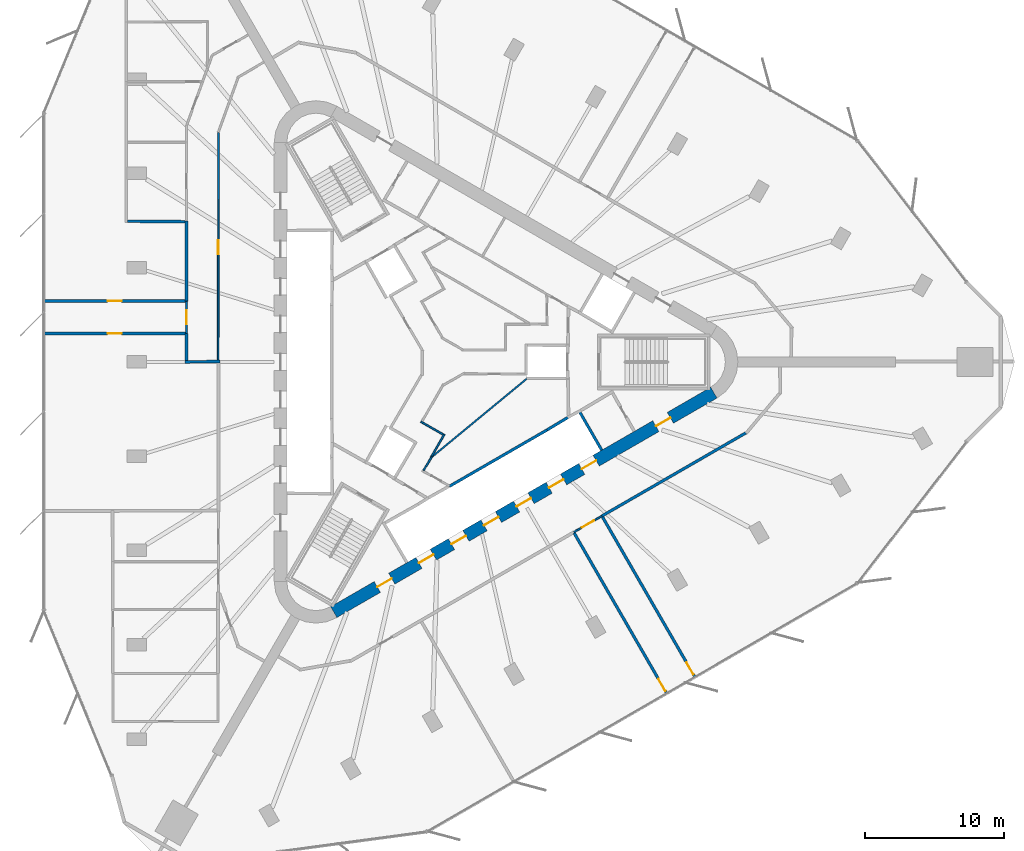
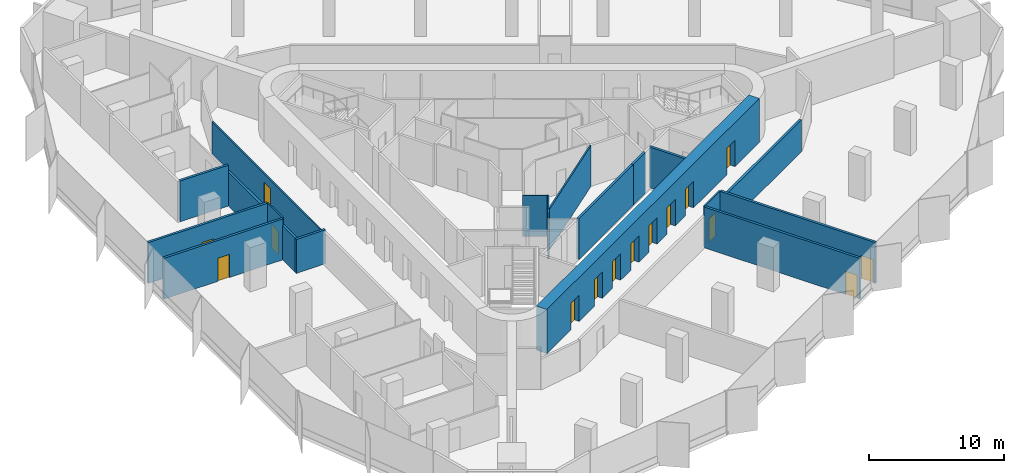
# One storey, part 9 of 14: 20 walls, 15 doors, 15 openings.
"""IFC4 building model written with IfcOpenShell, lengths in metres."""

from ifc_helpers import new_model, si_unit, direction, frame, frame_2d, origin, place, context, subcontext, project, spatial, rectangle, extrude, material, layer, layer_set, type_object, element, fill, save


model = new_model("IFC4")

# Units and contexts
model_context = context("Model", 3, precision=1e-05, world=origin(), true_north=direction((0.0, 1.0)))
body_context = subcontext(model_context, "Body", "Model", "MODEL_VIEW")
ifc_project = project(units=[si_unit("LENGTHUNIT", "METRE"), si_unit("AREAUNIT", "SQUARE_METRE"), si_unit("VOLUMEUNIT", "CUBIC_METRE"), si_unit("PLANEANGLEUNIT", "RADIAN"), si_unit("MASSUNIT", "GRAM", prefix="KILO")], contexts=[model_context])

# Site, building, storey
site_placement = place(None, origin())
site = spatial("IfcSite", under=ifc_project, at=site_placement, CompositionType="ELEMENT")
building_placement = place(site_placement, origin())
building = spatial("IfcBuilding", under=site, at=building_placement, Name="Tanit Gate Tower", CompositionType="ELEMENT")
storey_placement = place(building_placement, frame((0.0, 0.0, 237.199951171875)))
storey = spatial("IfcBuildingStorey", under=building, at=storey_placement, Name="L53", CompositionType="ELEMENT", Elevation=237.199951171875)

# Wall, openings, doors
ifc_material_1 = material(Name="Concrete C50/60", Category="concrete")
ifc_layer_1 = layer(ifc_material_1, 0.89990234375)
ifc_layer_set_1 = layer_set([ifc_layer_1], Name="CORE WALL 900 C50/60")
wall_type_1 = type_object("IfcWallType", Name="CORE WALL 900 C50/60", PredefinedType="SHEAR", material=ifc_layer_set_1)
wall_1_placement = place(storey_placement, frame((-7.824951171875, -17.969970703125, 0.0), z_axis=(0.0, 0.0, 1.0), x_axis=(0.866028369851, 0.499994862586, 0.0)))
wall_1 = element("IfcWall", 1, at=wall_1_placement, inside=storey, type_object=wall_type_1, Name="CORE WALL", PredefinedType="SHEAR", context=body_context, shape_type="SweptSolid", body=[
    extrude(rectangle(XDim=31.523193359375, YDim=0.89990234375, at=frame_2d((15.76171875, 0.0))), origin(), (0.0, 0.0, 1.0), 4.0),
])
opening_1_placement = place(wall_1_placement, frame((7.061767578125, 0.0, 0.0)))
opening_1 = element("IfcOpeningElement", 2, at=opening_1_placement, cuts=wall_1, Name="Opening LDSX1-S14", PredefinedType="OPENING", context=body_context, shape_type="SweptSolid", body=[
    extrude(rectangle(XDim=1.199951171875, YDim=2.39990234375, at=frame_2d((0.60009765625, 1.199951171875))), frame((0.0, 0.4599609375, 0.0), z_axis=(0.0, -1.0, 0.0), x_axis=(1.0, 0.0, 0.0)), (0.0, 0.0, 1.0), 0.919921875),
])
opening_2_placement = place(wall_1_placement, frame((9.76171875, 0.0, 0.0)))
opening_2 = element("IfcOpeningElement", 3, at=opening_2_placement, cuts=wall_1, Name="Opening LDSX2-S14", PredefinedType="OPENING", context=body_context, shape_type="SweptSolid", body=[
    extrude(rectangle(XDim=1.199951171875, YDim=2.39990234375, at=frame_2d((0.60009765625, 1.199951171875))), frame((0.0, 0.4599609375, 0.0), z_axis=(0.0, -1.0, 0.0), x_axis=(1.0, 0.0, 0.0)), (0.0, 0.0, 1.0), 0.919921875),
])
opening_3_placement = place(wall_1_placement, frame((12.461669921875, 0.0, 0.0)))
opening_3 = element("IfcOpeningElement", 4, at=opening_3_placement, cuts=wall_1, Name="Opening LDSX3-S14", PredefinedType="OPENING", context=body_context, shape_type="SweptSolid", body=[
    extrude(rectangle(XDim=1.199951171875, YDim=2.39990234375, at=frame_2d((0.60009765625, 1.199951171875))), frame((0.0, 0.4599609375, 0.0), z_axis=(0.0, -1.0, 0.0), x_axis=(1.0, 0.0, 0.0)), (0.0, 0.0, 1.0), 0.919921875),
])
opening_4_placement = place(wall_1_placement, frame((15.16162109375, 0.0, 0.0)))
opening_4 = element("IfcOpeningElement", 5, at=opening_4_placement, cuts=wall_1, Name="Opening LDSX4-S14", PredefinedType="OPENING", context=body_context, shape_type="SweptSolid", body=[
    extrude(rectangle(XDim=1.199951171875, YDim=2.39990234375, at=frame_2d((0.60009765625, 1.199951171875))), frame((0.0, 0.4599609375, 0.0), z_axis=(0.0, -1.0, 0.0), x_axis=(1.0, 0.0, 0.0)), (0.0, 0.0, 1.0), 0.919921875),
])
opening_5_placement = place(wall_1_placement, frame((17.861572265625, 0.0, 0.0)))
opening_5 = element("IfcOpeningElement", 6, at=opening_5_placement, cuts=wall_1, Name="Opening LDSV1-S14", PredefinedType="OPENING", context=body_context, shape_type="SweptSolid", body=[
    extrude(rectangle(XDim=1.199951171875, YDim=2.39990234375, at=frame_2d((0.60009765625, 1.199951171875))), frame((0.0, 0.4599609375, 0.0), z_axis=(0.0, -1.0, 0.0), x_axis=(1.0, 0.0, 0.0)), (0.0, 0.0, 1.0), 0.919921875),
])
opening_6_placement = place(wall_1_placement, frame((20.561767578125, 0.0, 0.0)))
opening_6 = element("IfcOpeningElement", 7, at=opening_6_placement, cuts=wall_1, Name="Opening LDSV2-S14", PredefinedType="OPENING", context=body_context, shape_type="SweptSolid", body=[
    extrude(rectangle(XDim=1.199951171875, YDim=2.39990234375, at=frame_2d((0.60009765625, 1.199951171875))), frame((0.0, 0.4599609375, 0.0), z_axis=(0.0, -1.0, 0.0), x_axis=(1.0, 0.0, 0.0)), (0.0, 0.0, 1.0), 0.919921875),
])
opening_7_placement = place(wall_1_placement, frame((26.711669921875, 0.0, 0.0)))
opening_7 = element("IfcOpeningElement", 8, at=opening_7_placement, cuts=wall_1, Name="Opening F12-S14-S1", PredefinedType="OPENING", context=body_context, shape_type="SweptSolid", body=[
    extrude(rectangle(XDim=1.199951171875, YDim=2.39990234375, at=frame_2d((0.60009765625, 1.199951171875))), frame((0.0, 0.4599609375, 0.0), z_axis=(0.0, -1.0, 0.0), x_axis=(1.0, 0.0, 0.0)), (0.0, 0.0, 1.0), 0.919921875),
])
opening_8_placement = place(wall_1_placement, frame((3.611572265625, 0.0, 0.0)))
opening_8 = element("IfcOpeningElement", 9, at=opening_8_placement, cuts=wall_1, Name="Opening F12-S14-FL3", PredefinedType="OPENING", context=body_context, shape_type="SweptSolid", body=[
    extrude(rectangle(XDim=1.199951171875, YDim=2.39990234375, at=frame_2d((0.60009765625, 1.199951171875))), frame((0.0, 0.4599609375, 0.0), z_axis=(0.0, -1.0, 0.0), x_axis=(1.0, 0.0, 0.0)), (0.0, 0.0, 1.0), 0.919921875),
])
ifc_material_2 = material(Name="Fire-rated steel door leaf", Category="steel")
door_type_1 = type_object("IfcDoorType", Name="INT-DOOR-FIRE-LOBBY-1200", OperationType="NOTDEFINED", PredefinedType="USERDEFINED", material=ifc_material_2)
door_1_placement = place(opening_7_placement, origin())
door_1 = element("IfcDoor", 10, at=door_1_placement, inside=storey, type_object=door_type_1, Name="Door F12-S14-S1", ObjectType="FIRE DOOR", OperationType="SINGLE_SWING_RIGHT", OverallHeight=2.39990234375, OverallWidth=1.199951171875, PredefinedType="USERDEFINED", context=body_context, shape_type="SweptSolid", body=[
    extrude(rectangle(XDim=1.199951171875, YDim=2.39990234375, at=frame_2d((0.60009765625, 1.199951171875))), frame((0.0, 0.02490234375, 0.0), z_axis=(0.0, -1.0, 0.0), x_axis=(1.0, 0.0, 0.0)), (0.0, 0.0, 1.0), 0.050048828125),
])
fill(opening_7, door_1)
door_2_placement = place(opening_8_placement, origin())
door_2 = element("IfcDoor", 11, at=door_2_placement, inside=storey, type_object=door_type_1, Name="Door F12-S14-FL3", ObjectType="FIRE DOOR", OperationType="SINGLE_SWING_LEFT", OverallHeight=2.39990234375, OverallWidth=1.199951171875, PredefinedType="USERDEFINED", context=body_context, shape_type="SweptSolid", body=[
    extrude(rectangle(XDim=1.199951171875, YDim=2.39990234375, at=frame_2d((0.60009765625, 1.199951171875))), frame((0.0, 0.02490234375, 0.0), z_axis=(0.0, -1.0, 0.0), x_axis=(1.0, 0.0, 0.0)), (0.0, 0.0, 1.0), 0.050048828125),
])
fill(opening_8, door_2)
ifc_material_3 = material(Name="Stainless steel sliding door leaf", Category="steel")
door_type_2 = type_object("IfcDoorType", Name="INT-DOOR-LANDING-1200", OperationType="NOTDEFINED", PredefinedType="USERDEFINED", material=ifc_material_3)
door_3_placement = place(opening_1_placement, origin())
door_3 = element("IfcDoor", 12, at=door_3_placement, inside=storey, type_object=door_type_2, Name="Door LDSX1-S14", ObjectType="LANDING DOOR", OperationType="SLIDING_TO_LEFT", OverallHeight=2.39990234375, OverallWidth=1.199951171875, PredefinedType="USERDEFINED", context=body_context, shape_type="SweptSolid", body=[
    extrude(rectangle(XDim=1.199951171875, YDim=2.39990234375, at=frame_2d((0.60009765625, 1.199951171875))), frame((0.0, 0.02490234375, 0.0), z_axis=(0.0, -1.0, 0.0), x_axis=(1.0, 0.0, 0.0)), (0.0, 0.0, 1.0), 0.050048828125),
])
fill(opening_1, door_3)
door_4_placement = place(opening_2_placement, origin())
door_4 = element("IfcDoor", 13, at=door_4_placement, inside=storey, type_object=door_type_2, Name="Door LDSX2-S14", ObjectType="LANDING DOOR", OperationType="SLIDING_TO_LEFT", OverallHeight=2.39990234375, OverallWidth=1.199951171875, PredefinedType="USERDEFINED", context=body_context, shape_type="SweptSolid", body=[
    extrude(rectangle(XDim=1.199951171875, YDim=2.39990234375, at=frame_2d((0.60009765625, 1.199951171875))), frame((0.0, 0.02490234375, 0.0), z_axis=(0.0, -1.0, 0.0), x_axis=(1.0, 0.0, 0.0)), (0.0, 0.0, 1.0), 0.050048828125),
])
fill(opening_2, door_4)
door_5_placement = place(opening_3_placement, origin())
door_5 = element("IfcDoor", 14, at=door_5_placement, inside=storey, type_object=door_type_2, Name="Door LDSX3-S14", ObjectType="LANDING DOOR", OperationType="SLIDING_TO_LEFT", OverallHeight=2.39990234375, OverallWidth=1.199951171875, PredefinedType="USERDEFINED", context=body_context, shape_type="SweptSolid", body=[
    extrude(rectangle(XDim=1.199951171875, YDim=2.39990234375, at=frame_2d((0.60009765625, 1.199951171875))), frame((0.0, 0.02490234375, 0.0), z_axis=(0.0, -1.0, 0.0), x_axis=(1.0, 0.0, 0.0)), (0.0, 0.0, 1.0), 0.050048828125),
])
fill(opening_3, door_5)
door_6_placement = place(opening_4_placement, origin())
door_6 = element("IfcDoor", 15, at=door_6_placement, inside=storey, type_object=door_type_2, Name="Door LDSX4-S14", ObjectType="LANDING DOOR", OperationType="SLIDING_TO_LEFT", OverallHeight=2.39990234375, OverallWidth=1.199951171875, PredefinedType="USERDEFINED", context=body_context, shape_type="SweptSolid", body=[
    extrude(rectangle(XDim=1.199951171875, YDim=2.39990234375, at=frame_2d((0.60009765625, 1.199951171875))), frame((0.0, 0.02490234375, 0.0), z_axis=(0.0, -1.0, 0.0), x_axis=(1.0, 0.0, 0.0)), (0.0, 0.0, 1.0), 0.050048828125),
])
fill(opening_4, door_6)
door_7_placement = place(opening_5_placement, origin())
door_7 = element("IfcDoor", 16, at=door_7_placement, inside=storey, type_object=door_type_2, Name="Door LDSV1-S14", ObjectType="LANDING DOOR", OperationType="SLIDING_TO_LEFT", OverallHeight=2.39990234375, OverallWidth=1.199951171875, PredefinedType="USERDEFINED", context=body_context, shape_type="SweptSolid", body=[
    extrude(rectangle(XDim=1.199951171875, YDim=2.39990234375, at=frame_2d((0.60009765625, 1.199951171875))), frame((0.0, 0.02490234375, 0.0), z_axis=(0.0, -1.0, 0.0), x_axis=(1.0, 0.0, 0.0)), (0.0, 0.0, 1.0), 0.050048828125),
])
fill(opening_5, door_7)
door_8_placement = place(opening_6_placement, origin())
door_8 = element("IfcDoor", 17, at=door_8_placement, inside=storey, type_object=door_type_2, Name="Door LDSV2-S14", ObjectType="LANDING DOOR", OperationType="SLIDING_TO_LEFT", OverallHeight=2.39990234375, OverallWidth=1.199951171875, PredefinedType="USERDEFINED", context=body_context, shape_type="SweptSolid", body=[
    extrude(rectangle(XDim=1.199951171875, YDim=2.39990234375, at=frame_2d((0.60009765625, 1.199951171875))), frame((0.0, 0.02490234375, 0.0), z_axis=(0.0, -1.0, 0.0), x_axis=(1.0, 0.0, 0.0)), (0.0, 0.0, 1.0), 0.050048828125),
])
fill(opening_6, door_8)

# Walls
ifc_material_4 = material(Name="Fire-rated gypsum board partition")
ifc_layer_2 = layer(ifc_material_4, 0.199951171875)
ifc_layer_set_2 = layer_set([ifc_layer_2], Name="INT-WALL-COMPARTMENT")
wall_type_2 = type_object("IfcWallType", Name="INT-WALL-COMPARTMENT", PredefinedType="PARTITIONING", material=ifc_layer_set_2)
wall_2_placement = place(storey_placement, frame((-18.5, -0.001220703125, 0.0), z_axis=(0.0, 0.0, 1.0), x_axis=(0.999915662945, 0.012987185857, 0.0)))
element("IfcWall", 18, at=wall_2_placement, inside=storey, type_object=wall_type_2, Name="Wall Compartment W094", PredefinedType="PARTITIONING", context=body_context, shape_type="SweptSolid", body=[
    extrude(rectangle(XDim=2.500244140625, YDim=0.199951171875, at=frame_2d((1.25, 0.0))), origin(), (0.0, 0.0, 1.0), 3.070068359375),
])
wall_3_placement = place(storey_placement, frame((-18.39990234375, 10.1298828125, 0.0), z_axis=(0.0, 0.0, 1.0), x_axis=(0.0, -1.0, 0.0)))
element("IfcWall", 19, at=wall_3_placement, inside=storey, type_object=wall_type_2, Name="Wall Compartment W096", PredefinedType="PARTITIONING", context=body_context, shape_type="SweptSolid", body=[
    extrude(rectangle(XDim=5.77978515625, YDim=0.199951171875, at=frame_2d((2.889892578125, 0.0))), origin(), (0.0, 0.0, 1.0), 3.070068359375),
])
wall_4_placement = place(storey_placement, frame((-18.39990234375, 2.050048828125, 0.0), z_axis=(0.0, 0.0, 1.0), x_axis=(0.0, -1.0, 0.0)))
element("IfcWall", 20, at=wall_4_placement, inside=storey, type_object=wall_type_2, Name="Wall Compartment W095", PredefinedType="PARTITIONING", context=body_context, shape_type="SweptSolid", body=[
    extrude(rectangle(XDim=1.949951171875, YDim=0.199951171875, at=frame_2d((0.97509765625, 0.0))), origin(), (0.0, 0.0, 1.0), 3.070068359375),
])
wall_5_placement = place(storey_placement, frame((11.417236328125, -11.0751953125, 0.0), z_axis=(0.0, 0.0, 1.0), x_axis=(0.866027793211, 0.49999586137, 0.0)))
element("IfcWall", 21, at=wall_5_placement, inside=storey, type_object=wall_type_2, Name="Wall Compartment W118", PredefinedType="PARTITIONING", context=body_context, shape_type="SweptSolid", body=[
    extrude(rectangle(XDim=11.955078125, YDim=0.199951171875, at=frame_2d((5.9775390625, 0.0))), origin(), (0.0, 0.0, 1.0), 2.880126953125),
])

# Wall, opening, door
wall_6_placement = place(storey_placement, frame((-28.6552734375, 2.030029296875, 0.0), z_axis=(0.0, 0.0, 1.0), x_axis=(1.0, 0.0, 0.0)))
wall_6 = element("IfcWall", 22, at=wall_6_placement, inside=storey, type_object=wall_type_2, Name="Wall Compartment W123", PredefinedType="PARTITIONING", context=body_context, shape_type="SweptSolid", body=[
    extrude(rectangle(XDim=10.1953125, YDim=0.199951171875, at=frame_2d((5.09765625, 0.0))), origin(), (0.0, 0.0, 1.0), 3.699951171875),
])
opening_9_placement = place(wall_6_placement, frame((4.59765625, 0.0, 0.0)))
opening_9 = element("IfcOpeningElement", 23, at=opening_9_placement, cuts=wall_6, Name="Opening F10-S14-32", PredefinedType="OPENING", context=body_context, shape_type="SweptSolid", body=[
    extrude(rectangle(XDim=1.0, YDim=2.10009765625, at=frame_2d((0.5, 1.050048828125))), frame((0.0, 0.10986328125, 0.0), z_axis=(0.0, -1.0, 0.0), x_axis=(1.0, 0.0, 0.0)), (0.0, 0.0, 1.0), 0.219970703125),
])
ifc_material_5 = material(Name="Fire-rated steel door leaf", Category="steel")
door_type_3 = type_object("IfcDoorType", Name="INT-DOOR-FIRE-1000", OperationType="NOTDEFINED", PredefinedType="USERDEFINED", material=ifc_material_5)
door_9_placement = place(opening_9_placement, origin())
door_9 = element("IfcDoor", 24, at=door_9_placement, inside=storey, type_object=door_type_3, Name="Door F10-S14-32", ObjectType="FIRE DOOR", OperationType="SINGLE_SWING_LEFT", OverallHeight=2.10009765625, OverallWidth=1.0, PredefinedType="USERDEFINED", context=body_context, shape_type="SweptSolid", body=[
    extrude(rectangle(XDim=1.0, YDim=2.10009765625, at=frame_2d((0.5, 1.050048828125))), frame((0.0, 0.02490234375, 0.0), z_axis=(0.0, -1.0, 0.0), x_axis=(1.0, 0.0, 0.0)), (0.0, 0.0, 1.0), 0.050048828125),
])
fill(opening_9, door_9)

wall_7_placement = place(storey_placement, frame((-18.4599609375, 4.3701171875, 0.0), z_axis=(0.0, 0.0, 1.0), x_axis=(-1.0, 0.0, 0.0)))
wall_7 = element("IfcWall", 25, at=wall_7_placement, inside=storey, type_object=wall_type_2, Name="Wall Compartment W124", PredefinedType="PARTITIONING", context=body_context, shape_type="SweptSolid", body=[
    extrude(rectangle(XDim=10.195556640625, YDim=0.199951171875, at=frame_2d((5.09765625, 0.0))), origin(), (0.0, 0.0, 1.0), 3.699951171875),
])
opening_10_placement = place(wall_7_placement, frame((4.59765625, 0.0, 0.0)))
opening_10 = element("IfcOpeningElement", 26, at=opening_10_placement, cuts=wall_7, Name="Opening F10-S14-33", PredefinedType="OPENING", context=body_context, shape_type="SweptSolid", body=[
    extrude(rectangle(XDim=1.0, YDim=2.10009765625, at=frame_2d((0.5, 1.050048828125))), frame((0.0, 0.10986328125, 0.0), z_axis=(0.0, -1.0, 0.0), x_axis=(1.0, 0.0, 0.0)), (0.0, 0.0, 1.0), 0.219970703125),
])
door_10_placement = place(opening_10_placement, origin())
door_10 = element("IfcDoor", 27, at=door_10_placement, inside=storey, type_object=door_type_3, Name="Door F10-S14-33", ObjectType="FIRE DOOR", OperationType="SINGLE_SWING_LEFT", OverallHeight=2.10009765625, OverallWidth=1.0, PredefinedType="USERDEFINED", context=body_context, shape_type="SweptSolid", body=[
    extrude(rectangle(XDim=1.0, YDim=2.10009765625, at=frame_2d((0.5, 1.050048828125))), frame((0.0, 0.02490234375, 0.0), z_axis=(0.0, -1.0, 0.0), x_axis=(1.0, 0.0, 0.0)), (0.0, 0.0, 1.0), 0.050048828125),
])
fill(opening_10, door_10)

# Wall
wall_8_placement = place(storey_placement, frame((-22.6298828125, 10.099365234375, 0.0), z_axis=(0.0, 0.0, 1.0), x_axis=(0.999976081673, -0.006916363298, 0.0)))
element("IfcWall", 28, at=wall_8_placement, inside=storey, type_object=wall_type_2, Name="Wall Compartment W140", PredefinedType="PARTITIONING", context=body_context, shape_type="SweptSolid", body=[
    extrude(rectangle(XDim=4.1298828125, YDim=0.199951171875, at=frame_2d((2.06494140625, 0.0))), origin(), (0.0, 0.0, 1.0), 3.699951171875),
])

# Wall, opening, door
wall_9_placement = place(storey_placement, frame((18.11181640625, -22.630859375, 0.0), z_axis=(0.0, 0.0, 1.0), x_axis=(-0.499988448798, 0.866032072771, 0.0)))
wall_9 = element("IfcWall", 29, at=wall_9_placement, inside=storey, type_object=wall_type_2, Name="Wall Compartment W150", PredefinedType="PARTITIONING", context=body_context, shape_type="SweptSolid", body=[
    extrude(rectangle(XDim=13.294677734375, YDim=0.199951171875, at=frame_2d((6.6474609375, 0.0))), origin(), (0.0, 0.0, 1.0), 3.699951171875),
])
opening_11_placement = place(wall_9_placement, frame((0.199951171875, 0.0, 0.0)))
opening_11 = element("IfcOpeningElement", 30, at=opening_11_placement, cuts=wall_9, Name="Opening F10-S14-36", PredefinedType="OPENING", context=body_context, shape_type="SweptSolid", body=[
    extrude(rectangle(XDim=1.0, YDim=2.10009765625, at=frame_2d((0.5, 1.050048828125))), frame((0.0, 0.10986328125, 0.0), z_axis=(0.0, -1.0, 0.0), x_axis=(1.0, 0.0, 0.0)), (0.0, 0.0, 1.0), 0.219970703125),
])
door_11_placement = place(opening_11_placement, origin())
door_11 = element("IfcDoor", 31, at=door_11_placement, inside=storey, type_object=door_type_3, Name="Door F10-S14-36", ObjectType="FIRE DOOR", OperationType="SINGLE_SWING_LEFT", OverallHeight=2.10009765625, OverallWidth=1.0, PredefinedType="USERDEFINED", context=body_context, shape_type="SweptSolid", body=[
    extrude(rectangle(XDim=1.0, YDim=2.10009765625, at=frame_2d((0.5, 1.050048828125))), frame((0.0, 0.02490234375, 0.0), z_axis=(0.0, -1.0, 0.0), x_axis=(1.0, 0.0, 0.0)), (0.0, 0.0, 1.0), 0.050048828125),
])
fill(opening_11, door_11)

wall_10_placement = place(storey_placement, frame((9.43798828125, -12.287109375, 0.0), z_axis=(0.0, 0.0, 1.0), x_axis=(0.499994270035, -0.866028711956, 0.0)))
wall_10 = element("IfcWall", 32, at=wall_10_placement, inside=storey, type_object=wall_type_2, Name="Wall Compartment W151", PredefinedType="PARTITIONING", context=body_context, shape_type="SweptSolid", body=[
    extrude(rectangle(XDim=13.295166015625, YDim=0.199951171875, at=frame_2d((6.6474609375, 0.0))), origin(), (0.0, 0.0, 1.0), 3.699951171875),
])
opening_12_placement = place(wall_10_placement, frame((12.094970703125, 0.0, 0.0)))
opening_12 = element("IfcOpeningElement", 33, at=opening_12_placement, cuts=wall_10, Name="Opening F10-S14-37", PredefinedType="OPENING", context=body_context, shape_type="SweptSolid", body=[
    extrude(rectangle(XDim=1.0, YDim=2.10009765625, at=frame_2d((0.5, 1.050048828125))), frame((0.0, 0.10986328125, 0.0), z_axis=(0.0, -1.0, 0.0), x_axis=(1.0, 0.0, 0.0)), (0.0, 0.0, 1.0), 0.219970703125),
])
door_12_placement = place(opening_12_placement, origin())
door_12 = element("IfcDoor", 34, at=door_12_placement, inside=storey, type_object=door_type_3, Name="Door F10-S14-37", ObjectType="FIRE DOOR", OperationType="SINGLE_SWING_RIGHT", OverallHeight=2.10009765625, OverallWidth=1.0, PredefinedType="USERDEFINED", context=body_context, shape_type="SweptSolid", body=[
    extrude(rectangle(XDim=1.0, YDim=2.10009765625, at=frame_2d((0.5, 1.050048828125))), frame((0.0, 0.02490234375, 0.0), z_axis=(0.0, -1.0, 0.0), x_axis=(1.0, 0.0, 0.0)), (0.0, 0.0, 1.0), 0.050048828125),
])
fill(opening_12, door_12)

# Walls
ifc_material_6 = material(Name="Gypsum board partition")
ifc_layer_3 = layer(ifc_material_6, 0.1201171875)
ifc_layer_set_3 = layer_set([ifc_layer_3], Name="INT-WALL-PARTITION")
wall_type_3 = type_object("IfcWallType", Name="INT-WALL-PARTITION", PredefinedType="PARTITIONING", material=ifc_layer_set_3)
wall_11_placement = place(storey_placement, frame((6.04638671875, -1.199951171875, 0.0), z_axis=(0.0, 0.0, 1.0), x_axis=(-0.771489624803, -0.636241902755, 0.0)))
element("IfcWall", 35, at=wall_11_placement, inside=storey, type_object=wall_type_3, Name="Wall Partition W070", PredefinedType="PARTITIONING", context=body_context, shape_type="SweptSolid", body=[
    extrude(rectangle(XDim=8.960693359375, YDim=0.1201171875, at=frame_2d((4.48046875, 0.0))), origin(), (0.0, 0.0, 1.0), 3.699951171875),
])
wall_12_placement = place(storey_placement, frame((-0.78662109375, -6.8212890625, 0.0), z_axis=(0.0, 0.0, 1.0), x_axis=(-0.521033983049, -0.853535932758, 0.0)))
element("IfcWall", 36, at=wall_12_placement, inside=storey, type_object=wall_type_3, Name="Wall Partition W072", PredefinedType="PARTITIONING", context=body_context, shape_type="SweptSolid", body=[
    extrude(rectangle(XDim=1.1396484375, YDim=0.1201171875, at=frame_2d((0.56982421875, 0.0))), origin(), (0.0, 0.0, 1.0), 3.699951171875),
])
wall_13_placement = place(storey_placement, frame((0.1181640625, -5.195068359375, 0.0), z_axis=(0.0, 0.0, 1.0), x_axis=(-0.499969367985, -0.866043088465, 0.0)))
element("IfcWall", 37, at=wall_13_placement, inside=storey, type_object=wall_type_3, Name="Wall Partition W073", PredefinedType="PARTITIONING", context=body_context, shape_type="SweptSolid", body=[
    extrude(rectangle(XDim=1.93994140625, YDim=0.1201171875, at=frame_2d((0.969970703125, 0.0))), origin(), (0.0, 0.0, 1.0), 3.699951171875),
])
wall_14_placement = place(storey_placement, frame((-1.56591796875, -4.292236328125, 0.0), z_axis=(0.0, 0.0, 1.0), x_axis=(0.866091100096, -0.499886193382, 0.0)))
element("IfcWall", 38, at=wall_14_placement, inside=storey, type_object=wall_type_3, Name="Wall Partition W074", PredefinedType="PARTITIONING", context=body_context, shape_type="SweptSolid", body=[
    extrude(rectangle(XDim=1.85009765625, YDim=0.1201171875, at=frame_2d((0.925048828125, 0.0))), origin(), (0.0, 0.0, 1.0), 3.699951171875),
])

# Wall, opening, door
wall_15_placement = place(storey_placement, frame((-16.10009765625, 16.486328125, 0.0), z_axis=(0.0, 0.0, 1.0), x_axis=(-0.00180665503, -0.999998367997, 0.0)))
wall_15 = element("IfcWall", 39, at=wall_15_placement, inside=storey, type_object=wall_type_3, Name="Wall Partition W092", PredefinedType="PARTITIONING", context=body_context, shape_type="SweptSolid", body=[
    extrude(rectangle(XDim=16.486328125, YDim=0.1201171875, at=frame_2d((8.2431640625, 0.0))), origin(), (0.0, 0.0, 1.0), 2.880126953125),
])
opening_13_placement = place(wall_15_placement, frame((7.7431640625, 0.0, 0.0)))
opening_13 = element("IfcOpeningElement", 40, at=opening_13_placement, cuts=wall_15, Name="Opening D10-S14-19", PredefinedType="OPENING", context=body_context, shape_type="SweptSolid", body=[
    extrude(rectangle(XDim=1.0, YDim=2.10009765625, at=frame_2d((0.5, 1.050048828125))), frame((0.0, 0.070068359375, 0.0), z_axis=(0.0, -1.0, 0.0), x_axis=(1.0, 0.0, 0.0)), (0.0, 0.0, 1.0), 0.14013671875),
])
ifc_material_7 = material(Name="Timber door leaf", Category="wood")
door_type_4 = type_object("IfcDoorType", Name="INT-DOOR-SINGLE-1000", OperationType="NOTDEFINED", PredefinedType="NOTDEFINED", material=ifc_material_7)
door_13_placement = place(opening_13_placement, origin())
door_13 = element("IfcDoor", 41, at=door_13_placement, inside=storey, type_object=door_type_4, Name="Door D10-S14-19", OperationType="SINGLE_SWING_RIGHT", OverallHeight=2.10009765625, OverallWidth=1.0, PredefinedType="NOTDEFINED", context=body_context, shape_type="SweptSolid", body=[
    extrude(rectangle(XDim=1.0, YDim=2.10009765625, at=frame_2d((0.5, 1.050048828125))), frame((0.0, 0.02490234375, 0.0), z_axis=(0.0, -1.0, 0.0), x_axis=(1.0, 0.0, 0.0)), (0.0, 0.0, 1.0), 0.050048828125),
])
fill(opening_13, door_13)

wall_16_placement = place(storey_placement, frame((-18.39990234375, 4.35009765625, 0.0), z_axis=(0.0, 0.0, 1.0), x_axis=(0.0, -1.0, 0.0)))
wall_16 = element("IfcWall", 42, at=wall_16_placement, inside=storey, type_object=wall_type_3, Name="Wall Partition W093", PredefinedType="PARTITIONING", context=body_context, shape_type="SweptSolid", body=[
    extrude(rectangle(XDim=2.300048828125, YDim=0.1201171875, at=frame_2d((1.14990234375, 0.0))), origin(), (0.0, 0.0, 1.0), 3.699951171875),
])
opening_14_placement = place(wall_16_placement, frame((0.64990234375, 0.0, 0.0)))
opening_14 = element("IfcOpeningElement", 43, at=opening_14_placement, cuts=wall_16, Name="Opening D10-S14-20", PredefinedType="OPENING", context=body_context, shape_type="SweptSolid", body=[
    extrude(rectangle(XDim=1.0, YDim=2.10009765625, at=frame_2d((0.5, 1.050048828125))), frame((0.0, 0.070068359375, 0.0), z_axis=(0.0, -1.0, 0.0), x_axis=(1.0, 0.0, 0.0)), (0.0, 0.0, 1.0), 0.14013671875),
])
door_14_placement = place(opening_14_placement, origin())
door_14 = element("IfcDoor", 44, at=door_14_placement, inside=storey, type_object=door_type_4, Name="Door D10-S14-20", OperationType="SINGLE_SWING_LEFT", OverallHeight=2.10009765625, OverallWidth=1.0, PredefinedType="NOTDEFINED", context=body_context, shape_type="SweptSolid", body=[
    extrude(rectangle(XDim=1.0, YDim=2.10009765625, at=frame_2d((0.5, 1.050048828125))), frame((0.0, 0.02490234375, 0.0), z_axis=(0.0, -1.0, 0.0), x_axis=(1.0, 0.0, 0.0)), (0.0, 0.0, 1.0), 0.050048828125),
])
fill(opening_14, door_14)

wall_17_placement = place(storey_placement, frame((9.42529296875, -12.22509765625, 0.0), z_axis=(0.0, 0.0, 1.0), x_axis=(0.866053019151, 0.499952165731, 0.0)))
wall_17 = element("IfcWall", 45, at=wall_17_placement, inside=storey, type_object=wall_type_3, Name="Wall Partition W115", PredefinedType="PARTITIONING", context=body_context, shape_type="SweptSolid", body=[
    extrude(rectangle(XDim=2.300048828125, YDim=0.1201171875, at=frame_2d((1.14990234375, 0.0))), origin(), (0.0, 0.0, 1.0), 3.699951171875),
])
opening_15_placement = place(wall_17_placement, frame((0.64990234375, 0.0, 0.0)))
opening_15 = element("IfcOpeningElement", 46, at=opening_15_placement, cuts=wall_17, Name="Opening D10-S14-22", PredefinedType="OPENING", context=body_context, shape_type="SweptSolid", body=[
    extrude(rectangle(XDim=1.0, YDim=2.10009765625, at=frame_2d((0.5, 1.050048828125))), frame((0.0, 0.070068359375, 0.0), z_axis=(0.0, -1.0, 0.0), x_axis=(1.0, 0.0, 0.0)), (0.0, 0.0, 1.0), 0.14013671875),
])
door_15_placement = place(opening_15_placement, origin())
door_15 = element("IfcDoor", 47, at=door_15_placement, inside=storey, type_object=door_type_4, Name="Door D10-S14-22", OperationType="SINGLE_SWING_RIGHT", OverallHeight=2.10009765625, OverallWidth=1.0, PredefinedType="NOTDEFINED", context=body_context, shape_type="SweptSolid", body=[
    extrude(rectangle(XDim=1.0, YDim=2.10009765625, at=frame_2d((0.5, 1.050048828125))), frame((0.0, 0.02490234375, 0.0), z_axis=(0.0, -1.0, 0.0), x_axis=(1.0, 0.0, 0.0)), (0.0, 0.0, 1.0), 0.050048828125),
])
fill(opening_15, door_15)

# Walls
ifc_material_8 = material(Name="Gypsum shaft wall system")
ifc_layer_4 = layer(ifc_material_8, 0.199951171875)
ifc_layer_set_4 = layer_set([ifc_layer_4], Name="INT-WALL-SHAFT")
wall_type_4 = type_object("IfcWallType", Name="INT-WALL-SHAFT", PredefinedType="PLUMBINGWALL", material=ifc_layer_set_4)
wall_18_placement = place(storey_placement, frame((0.482666015625, -8.935791015625, 0.0), z_axis=(0.0, 0.0, 1.0), x_axis=(0.866030989016, 0.499990325971, 0.0)))
element("IfcWall", 48, at=wall_18_placement, inside=storey, type_object=wall_type_4, Name="Wall Shaft W023", PredefinedType="PLUMBINGWALL", context=body_context, shape_type="SweptSolid", body=[
    extrude(rectangle(XDim=8.099853515625, YDim=0.199951171875, at=frame_2d((4.0498046875, 0.0))), origin(), (0.0, 0.0, 1.0), 3.699951171875),
])
wall_19_placement = place(storey_placement, frame((9.794677734375, -3.52490234375, 0.0), z_axis=(0.0, 0.0, 1.0), x_axis=(0.499984717929, -0.866034226713, 0.0)))
element("IfcWall", 49, at=wall_19_placement, inside=storey, type_object=wall_type_4, Name="Wall Shaft W016", PredefinedType="PLUMBINGWALL", context=body_context, shape_type="SweptSolid", body=[
    extrude(rectangle(XDim=3.25, YDim=0.199951171875, at=frame_2d((1.625, 0.0))), origin(), (0.0, 0.0, 1.0), 3.699951171875),
])
wall_20_placement = place(storey_placement, frame((7.497314453125, -4.885986328125, 0.0), z_axis=(0.0, 0.0, 1.0), x_axis=(0.857516281273, 0.51445682749, 0.0)))
element("IfcWall", 50, at=wall_20_placement, inside=storey, type_object=wall_type_4, Name="Wall Shaft W018", PredefinedType="PLUMBINGWALL", context=body_context, shape_type="SweptSolid", body=[
    extrude(rectangle(XDim=1.8447265625, YDim=0.199951171875, at=frame_2d((0.92236328125, 0.0))), origin(), (0.0, 0.0, 1.0), 3.699951171875),
])

save(model, "model.ifc")
